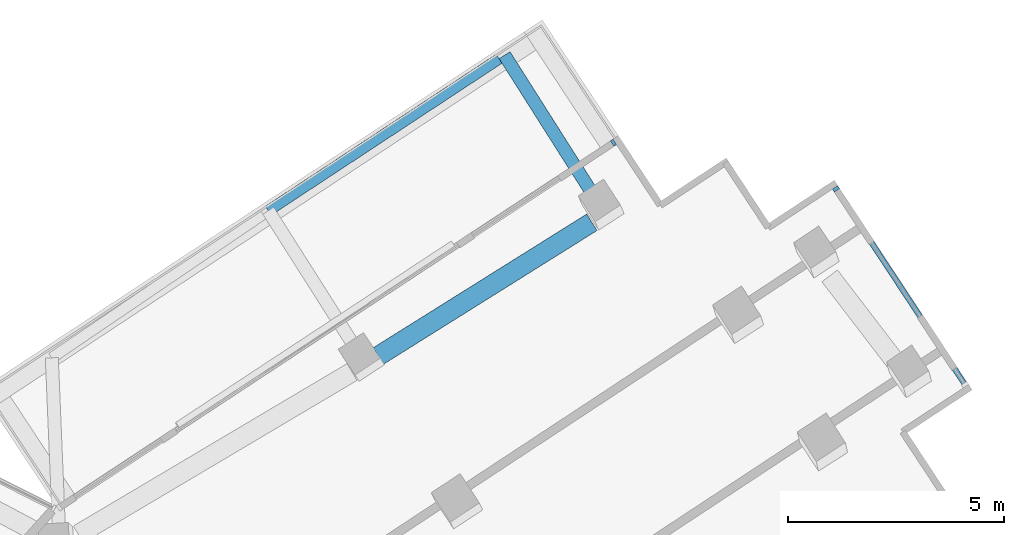
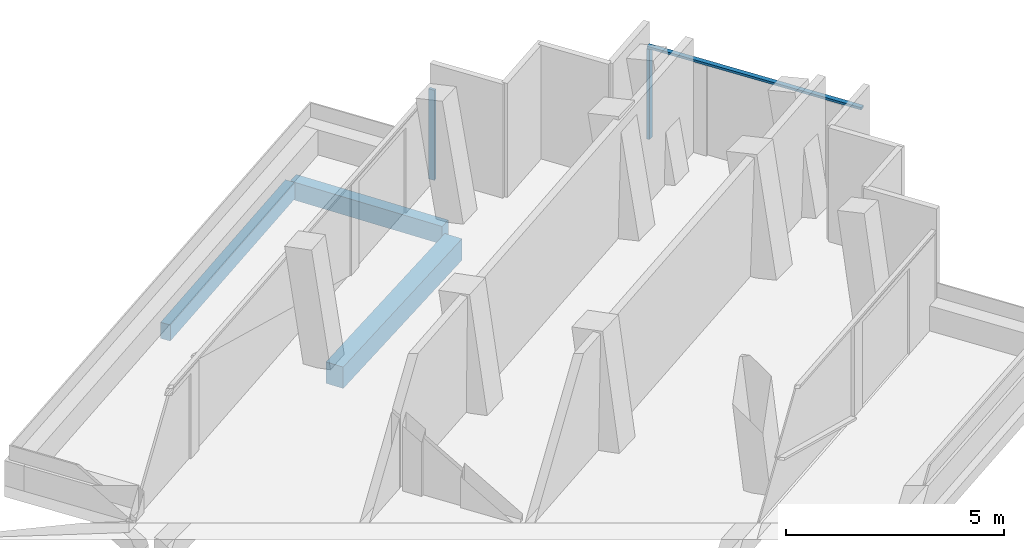
# One storey, part 11 of 26: 3 beams, 3 members, 2 elements without a shape of their own.
"""IFC4 building model written with IfcOpenShell, lengths in metres."""

from ifc_helpers import new_model, si_unit, direction, frame, origin, origin_2d, place, context, subcontext, project, spatial, rectangle, extrude, material, layer, layer_set, material_profile, profile_set, type_object, element, aggregate, save


model = new_model("IFC4")

# Units and contexts
model_context = context("Model", 3, precision=1e-05, world=origin(), true_north=direction((0.0, 1.0)))
body_context = subcontext(model_context, "Body", "Model", "MODEL_VIEW")
ifc_project = project(units=[si_unit("LENGTHUNIT", "METRE"), si_unit("AREAUNIT", "SQUARE_METRE"), si_unit("VOLUMEUNIT", "CUBIC_METRE"), si_unit("PLANEANGLEUNIT", "RADIAN"), si_unit("MASSUNIT", "GRAM", prefix="KILO")], contexts=[model_context])

# Site, building, storey
site_placement = place(None, origin())
site = spatial("IfcSite", under=ifc_project, at=site_placement, CompositionType="ELEMENT")
building_placement = place(site_placement, origin())
building = spatial("IfcBuilding", under=site, at=building_placement, Name="Verdalira Terraces Hotel", CompositionType="ELEMENT")
storey_placement = place(building_placement, frame((0.0, 0.0, 291.5)))
storey = spatial("IfcBuildingStorey", under=building, at=storey_placement, Name="L72", CompositionType="ELEMENT", Elevation=291.5)

# Beams
ifc_material_1 = material(Name="Concrete C40", Category="concrete")
ifc_material_profile_1 = material_profile(ifc_material_1, rectangle(XDim=0.300049, YDim=0.5, at=origin_2d()), Name="RC 300X500")
ifc_profile_set_1 = profile_set([ifc_material_profile_1], Name="Concrete C40")
beam_type_1 = type_object("IfcBeamType", Name="Balcony cantilever beam RC 300X500 C40", PredefinedType="BEAM", material=ifc_profile_set_1)
beam_1_placement = place(storey_placement, frame((29.152832, 25.854004, -0.560059), z_axis=(-0.53581594, 0.844334814, 0.0), x_axis=(-0.844334814, -0.53581594, 0.0)))
element("IfcBeam", 1, at=beam_1_placement, inside=storey, type_object=beam_type_1, Name="Balcony cantilever beam R38-1", PredefinedType="BEAM", context=body_context, shape_type="SweptSolid", body=[
    extrude(rectangle(XDim=0.300049, YDim=0.5, at=origin_2d()), origin(), (0.0, 0.0, 1.0), 3.937744),
])
ifc_material_2 = material(Name="Concrete C40", Category="concrete")
ifc_material_profile_2 = material_profile(ifc_material_2, rectangle(XDim=0.25, YDim=0.449951, at=origin_2d()), Name="RC 250X450")
ifc_profile_set_2 = profile_set([ifc_material_profile_2], Name="Concrete C40")
beam_type_2 = type_object("IfcBeamType", Name="Balcony edge beam RC 250X450 C40", PredefinedType="BEAM", material=ifc_profile_set_2)
beam_2_placement = place(storey_placement, frame((26.917725, 29.096191, -0.534912), z_axis=(-0.835219271, -0.549917056, 0.0), x_axis=(0.549917056, -0.835219271, 0.0)))
element("IfcBeam", 2, at=beam_2_placement, inside=storey, type_object=beam_type_2, Name="Balcony edge beam R38-1", PredefinedType="BEAM", context=body_context, shape_type="SweptSolid", body=[
    extrude(rectangle(XDim=0.25, YDim=0.449951, at=origin_2d()), origin(), (0.0, 0.0, 1.0), 6.384521),
])

# Curtain wall, member
ifc_material_3 = material(Name="Clear glass", Category="glass")
ifc_layer_1 = layer(ifc_material_3, 0.14990234375)
ifc_layer_set_1 = layer_set([ifc_layer_1], Name="CW2 curtain wall")
curtain_wall_type_1 = type_object("IfcCurtainWallType", Name="CW2 curtain wall", PredefinedType="NOTDEFINED", material=ifc_layer_set_1)
curtain_wall_1_placement = place(storey_placement, origin())
curtain_wall_1 = element("IfcCurtainWall", 3, at=curtain_wall_1_placement, inside=storey, type_object=curtain_wall_type_1, Name="CW2 curtain wall L72 edge 38", PredefinedType="NOTDEFINED")
ifc_material_4 = material(Name="Terracotta frame", Category="masonry")
ifc_material_profile_3 = material_profile(ifc_material_4, rectangle(XDim=0.070068, YDim=0.149902, at=origin_2d()), Name="MU 70x150")
ifc_profile_set_3 = profile_set([ifc_material_profile_3], Name="Terracotta frame")
member_type_1 = type_object("IfcMemberType", Name="CW2 mullion 70x150", PredefinedType="MULLION", material=ifc_profile_set_3)
member_1_placement = place(storey_placement, frame((29.55957, 27.153809, 0.0), z_axis=(0.0, 0.0, 1.0), x_axis=(-0.835231968, -0.549897772, 0.0)))
member_1 = element("IfcMember", 4, at=member_1_placement, type_object=member_type_1, Name="CW2 mullion", PredefinedType="MULLION", context=body_context, shape_type="SweptSolid", body=[
    extrude(rectangle(XDim=0.070068, YDim=0.149902, at=origin_2d()), origin(), (0.0, 0.0, 1.0), 2.524902),
])
aggregate(curtain_wall_1, [member_1])

# Curtain wall, members
ifc_material_5 = material(Name="Clear glass", Category="glass")
ifc_layer_2 = layer(ifc_material_5, 0.14990234375)
ifc_layer_set_2 = layer_set([ifc_layer_2], Name="CW3 curtain wall")
curtain_wall_type_2 = type_object("IfcCurtainWallType", Name="CW3 curtain wall", PredefinedType="NOTDEFINED", material=ifc_layer_set_2)
curtain_wall_2_placement = place(storey_placement, origin())
curtain_wall_2 = element("IfcCurtainWall", 5, at=curtain_wall_2_placement, inside=storey, type_object=curtain_wall_type_2, Name="CW3 curtain wall L72 edge 33", PredefinedType="NOTDEFINED")
ifc_material_6 = material(Name="Terracotta frame", Category="masonry")
ifc_material_profile_4 = material_profile(ifc_material_6, rectangle(XDim=0.080078, YDim=0.149902, at=origin_2d()), Name="MU 80x150")
ifc_profile_set_4 = profile_set([ifc_material_profile_4], Name="Terracotta frame")
member_type_2 = type_object("IfcMemberType", Name="CW3 mullion 80x150", PredefinedType="MULLION", material=ifc_profile_set_4)
member_2_placement = place(storey_placement, frame((34.701172, 26.091064, 0.0), z_axis=(0.0, 0.0, 1.0), x_axis=(-0.549897772, 0.835231968, 0.0)))
member_2 = element("IfcMember", 6, at=member_2_placement, type_object=member_type_2, Name="CW3 mullion", PredefinedType="MULLION", context=body_context, shape_type="SweptSolid", body=[
    extrude(rectangle(XDim=0.080078, YDim=0.149902, at=origin_2d()), origin(), (0.0, 0.0, 1.0), 2.524902),
])
ifc_material_7 = material(Name="Terracotta frame", Category="masonry")
ifc_material_profile_5 = material_profile(ifc_material_7, rectangle(XDim=0.120117, YDim=0.064941, at=origin_2d()), Name="TR 65x120")
ifc_profile_set_5 = profile_set([ifc_material_profile_5], Name="Terracotta frame")
member_type_3 = type_object("IfcMemberType", Name="CW3 transom 65x120", PredefinedType="USERDEFINED", material=ifc_profile_set_5)
member_3_placement = place(storey_placement, frame((37.703613, 21.530518, 2.557617), z_axis=(-0.549907503, 0.835225561, 0.0), x_axis=(-0.835225561, -0.549907503, 0.0)))
member_3 = element("IfcMember", 7, at=member_3_placement, type_object=member_type_3, Name="CW3 transom", ObjectType="TRANSOM", PredefinedType="USERDEFINED", context=body_context, shape_type="SweptSolid", body=[
    extrude(rectangle(XDim=0.120117, YDim=0.064941, at=origin_2d()), origin(), (0.0, 0.0, 1.0), 5.500244),
])
aggregate(curtain_wall_2, [member_2, member_3])

# Beam
ifc_material_8 = material(Name="Concrete C40", Category="concrete")
ifc_material_profile_6 = material_profile(ifc_material_8, rectangle(XDim=0.449951, YDim=0.600098, at=origin_2d()), Name="RC 450X600")
ifc_profile_set_6 = profile_set([ifc_material_profile_6], Name="Concrete C40")
beam_type_3 = type_object("IfcBeamType", Name="Spandrel beam RC 450X600 C40", PredefinedType="SPANDREL", material=ifc_profile_set_6)
beam_3_placement = place(storey_placement, frame((29.059814, 25.317383, -0.610107), z_axis=(-0.847552473, -0.530711603, 0.0), x_axis=(0.530711603, -0.847552473, 0.0)))
element("IfcBeam", 8, at=beam_3_placement, inside=storey, type_object=beam_type_3, Name="Spandrel beam B22", PredefinedType="SPANDREL", context=body_context, shape_type="SweptSolid", body=[
    extrude(rectangle(XDim=0.449951, YDim=0.600098, at=origin_2d()), origin(), (0.0, 0.0, 1.0), 5.818359),
])

save(model, "model.ifc")
